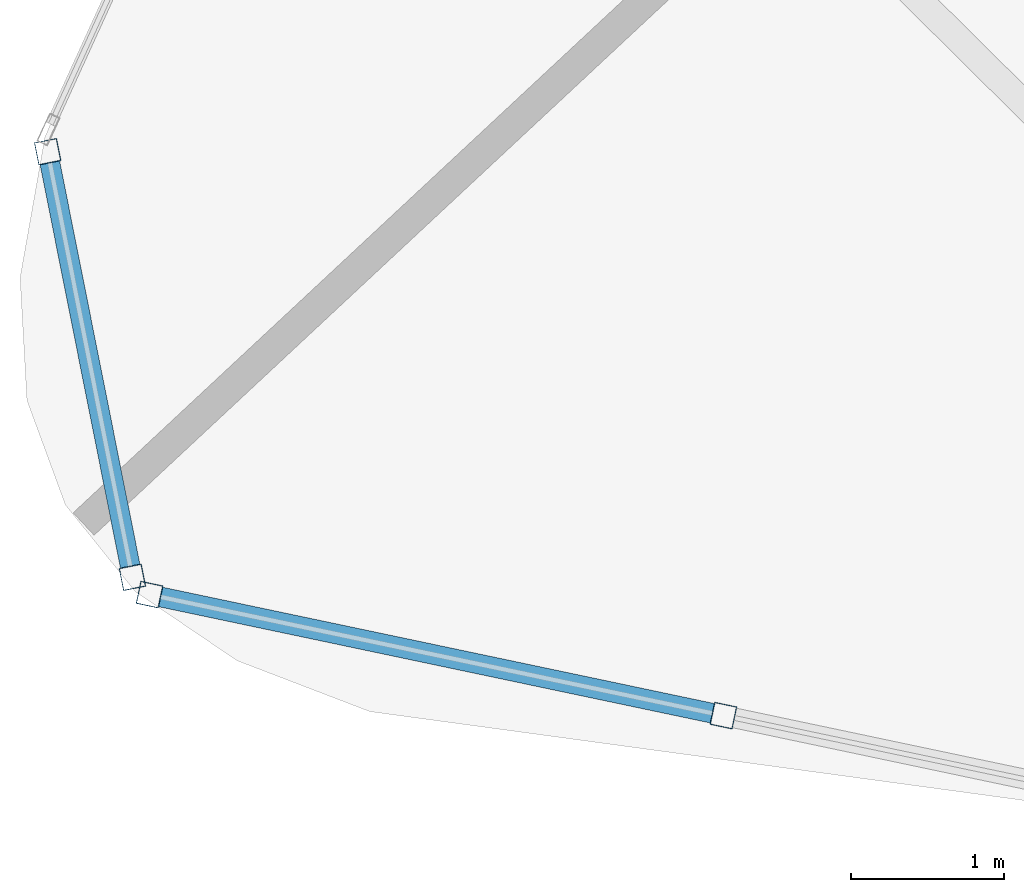
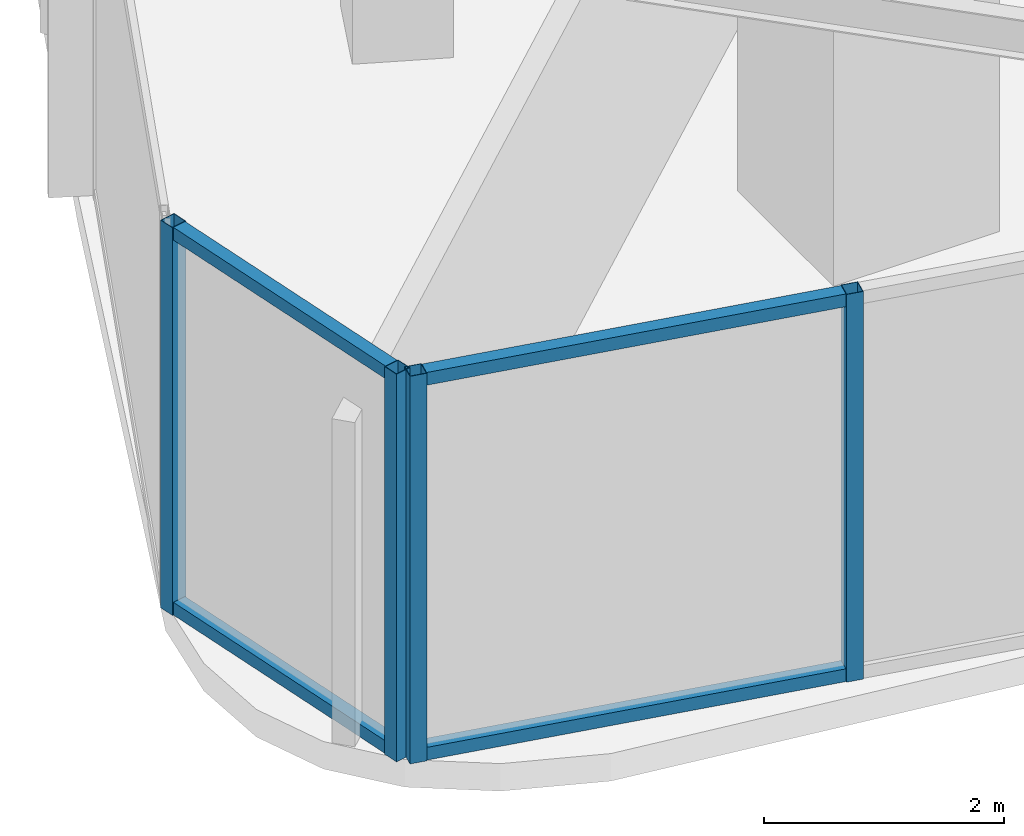
# One storey, part 2 of 33: 8 members, 2 elements without a shape of their own.
"""IFC4 building model written with IfcOpenShell, lengths in metres."""

from ifc_helpers import new_model, si_unit, direction, frame, origin, origin_2d, place, context, subcontext, project, spatial, hollow_rectangle, extrude, material, layer, layer_set, material_profile, profile_set, type_object, element, aggregate, save


model = new_model("IFC4")

# Units and contexts
model_context = context("Model", 3, precision=1e-05, world=origin(), true_north=direction((0.0, 1.0)))
body_context = subcontext(model_context, "Body", "Model", "MODEL_VIEW")
ifc_project = project(units=[si_unit("LENGTHUNIT", "METRE"), si_unit("AREAUNIT", "SQUARE_METRE"), si_unit("VOLUMEUNIT", "CUBIC_METRE"), si_unit("PLANEANGLEUNIT", "RADIAN"), si_unit("MASSUNIT", "GRAM", prefix="KILO")], contexts=[model_context])

# Site, building, storey
site_placement = place(None, origin())
site = spatial("IfcSite", under=ifc_project, at=site_placement, CompositionType="ELEMENT")
building_placement = place(site_placement, origin())
building = spatial("IfcBuilding", under=site, at=building_placement, Name="Orvanel Arch Residences", CompositionType="ELEMENT")
storey_placement = place(building_placement, frame((0.0, 0.0, 97.25)))
storey = spatial("IfcBuildingStorey", under=building, at=storey_placement, Name="L27", CompositionType="ELEMENT", Elevation=97.25)

# Curtain wall, members
ifc_material = material(Name="Bronze-anodised aluminium AA6063-T6", Category="aluminium")
ifc_layer = layer(ifc_material, 0.18994140625)
ifc_layer_set = layer_set([ifc_layer], Name="Bronze-anodised aluminium AA6063-T6")
curtain_wall_type = type_object("IfcCurtainWallType", Name="CW5-CRN-SYS", PredefinedType="NOTDEFINED", material=ifc_layer_set)
curtain_wall_1_placement = place(storey_placement, origin())
curtain_wall_1 = element("IfcCurtainWall", 1, at=curtain_wall_1_placement, inside=storey, type_object=curtain_wall_type, Name="L27 CW5-CRN-SYS Unitised Curtain Wall", PredefinedType="NOTDEFINED")
ifc_material_profile_1 = material_profile(ifc_material, hollow_rectangle(XDim=0.14990234375, YDim=0.14990234375, WallThickness=0.0048828125, at=origin_2d()), Name="ALU150x150x5")
ifc_profile_set_1 = profile_set([ifc_material_profile_1], Name="Bronze-anodised aluminium AA6063-T6")
member_type_1 = type_object("IfcMemberType", Name="MUL-150x150", PredefinedType="MULLION", material=ifc_profile_set_1)
member_1_placement = place(storey_placement, frame((6.28466796875, 8.25146484375, 0.0), z_axis=(0.0, 0.0, 1.0), x_axis=(0.980747795562, 0.195278676511, 0.0)))
member_1 = element("IfcMember", 2, at=member_1_placement, type_object=member_type_1, Name="CW-S5 mullion 1", PredefinedType="MULLION", context=body_context, shape_type="SweptSolid", body=[
    extrude(hollow_rectangle(XDim=0.14990234375, YDim=0.14990234375, WallThickness=0.0048828125, at=origin_2d()), origin(), (0.0, 0.0, 1.0), 3.949951171875),
])
member_2_placement = place(storey_placement, frame((6.83837890625, 5.470458984375, 0.0), z_axis=(0.0, 0.0, 1.0), x_axis=(0.980747795562, 0.195278676511, 0.0)))
member_2 = element("IfcMember", 3, at=member_2_placement, type_object=member_type_1, Name="CW-S5 mullion 2", PredefinedType="MULLION", context=body_context, shape_type="SweptSolid", body=[
    extrude(hollow_rectangle(XDim=0.14990234375, YDim=0.14990234375, WallThickness=0.0048828125, at=origin_2d()), origin(), (0.0, 0.0, 1.0), 3.949951171875),
])

curtain_wall_2_placement = place(storey_placement, origin())
curtain_wall_2 = element("IfcCurtainWall", 4, at=curtain_wall_2_placement, inside=storey, type_object=curtain_wall_type, Name="L27 CW5-CRN-SYS Unitised Curtain Wall", PredefinedType="NOTDEFINED")
member_3_placement = place(storey_placement, frame((6.950439453125, 5.357421875, 0.0), z_axis=(0.0, 0.0, 1.0), x_axis=(0.206294255805, 0.97848999996, 0.0)))
member_3 = element("IfcMember", 5, at=member_3_placement, type_object=member_type_1, Name="CW-S5 mullion 1", PredefinedType="MULLION", context=body_context, shape_type="SweptSolid", body=[
    extrude(hollow_rectangle(XDim=0.14990234375, YDim=0.14990234375, WallThickness=0.0048828125, at=origin_2d()), origin(), (0.0, 0.0, 1.0), 3.949951171875),
])
member_4_placement = place(storey_placement, frame((10.699951171875, 4.56689453125, 0.0), z_axis=(0.0, 0.0, 1.0), x_axis=(0.206294255805, 0.97848999996, 0.0)))
member_4 = element("IfcMember", 6, at=member_4_placement, type_object=member_type_1, Name="CW-S5 mullion 2", PredefinedType="MULLION", context=body_context, shape_type="SweptSolid", body=[
    extrude(hollow_rectangle(XDim=0.14990234375, YDim=0.14990234375, WallThickness=0.0048828125, at=origin_2d()), origin(), (0.0, 0.0, 1.0), 3.949951171875),
])

# Member
ifc_material_profile_2 = material_profile(ifc_material, hollow_rectangle(XDim=0.1298828125, YDim=0.1298828125, WallThickness=0.00439453125, at=origin_2d()), Name="ALU130x130x4.5")
ifc_profile_set_2 = profile_set([ifc_material_profile_2], Name="Bronze-anodised aluminium AA6063-T6")
member_type_2 = type_object("IfcMemberType", Name="TRN-130x130", PredefinedType="USERDEFINED", material=ifc_profile_set_2)
member_5_placement = place(storey_placement, frame((6.29931640625, 8.177978515625, 0.06494140625), z_axis=(0.195276884617, -0.980748152348, 0.0), x_axis=(0.980748152348, 0.195276884617, 0.0)))
member_5 = element("IfcMember", 7, at=member_5_placement, type_object=member_type_2, Name="CW-S5 transom 1.1", ObjectType="TRANSOM", PredefinedType="USERDEFINED", context=body_context, shape_type="SweptSolid", body=[
    extrude(hollow_rectangle(XDim=0.1298828125, YDim=0.1298828125, WallThickness=0.00439453125, at=origin_2d()), origin(), (0.0, 0.0, 1.0), 2.685546875),
])

member_6_placement = place(storey_placement, frame((6.29931640625, 8.177978515625, 3.885009765625), z_axis=(0.195276884617, -0.980748152348, 0.0), x_axis=(0.980748152348, 0.195276884617, 0.0)))
member_6 = element("IfcMember", 8, at=member_6_placement, type_object=member_type_2, Name="CW-S5 transom 1.2", ObjectType="TRANSOM", PredefinedType="USERDEFINED", context=body_context, shape_type="SweptSolid", body=[
    extrude(hollow_rectangle(XDim=0.1298828125, YDim=0.1298828125, WallThickness=0.00439453125, at=origin_2d()), origin(), (0.0, 0.0, 1.0), 2.685546875),
])

aggregate(curtain_wall_1, [member_1, member_2, member_5, member_6])

member_7_placement = place(storey_placement, frame((7.023681640625, 5.342041015625, 0.06494140625), z_axis=(0.978495583419, -0.206267770702, 0.0), x_axis=(0.206267770702, 0.978495583419, 0.0)))
member_7 = element("IfcMember", 9, at=member_7_placement, type_object=member_type_2, Name="CW-S5 transom 1.1", ObjectType="TRANSOM", PredefinedType="USERDEFINED", context=body_context, shape_type="SweptSolid", body=[
    extrude(hollow_rectangle(XDim=0.1298828125, YDim=0.1298828125, WallThickness=0.00439453125, at=origin_2d()), origin(), (0.0, 0.0, 1.0), 3.68212890625),
])

member_8_placement = place(storey_placement, frame((7.023681640625, 5.342041015625, 3.885009765625), z_axis=(0.978495583419, -0.206267770702, 0.0), x_axis=(0.206267770702, 0.978495583419, 0.0)))
member_8 = element("IfcMember", 10, at=member_8_placement, type_object=member_type_2, Name="CW-S5 transom 1.2", ObjectType="TRANSOM", PredefinedType="USERDEFINED", context=body_context, shape_type="SweptSolid", body=[
    extrude(hollow_rectangle(XDim=0.1298828125, YDim=0.1298828125, WallThickness=0.00439453125, at=origin_2d()), origin(), (0.0, 0.0, 1.0), 3.68212890625),
])

aggregate(curtain_wall_2, [member_3, member_4, member_7, member_8])

save(model, "model.ifc")
